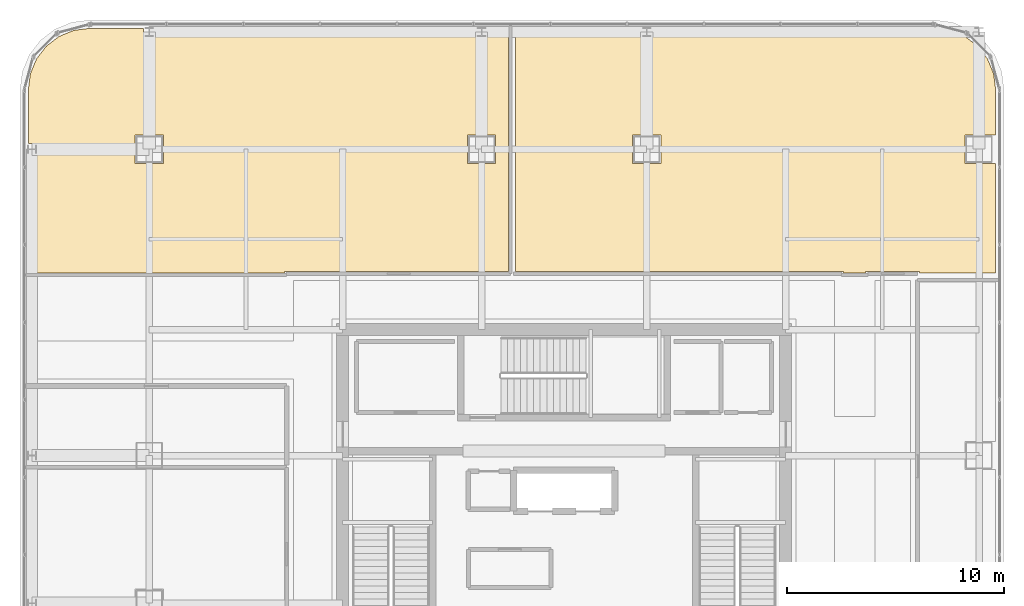
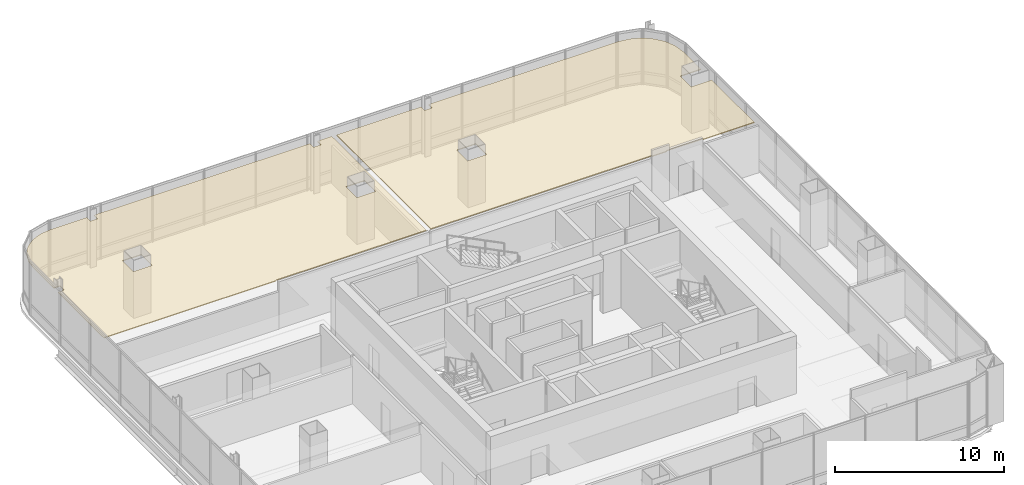
# One storey, part 41 of 41: 2 coverings.
"""IFC4 building model written with IfcOpenShell, lengths in metres."""

import ifcopenshell
import ifcopenshell.guid

model = None  # the IFC model being written
_history = None  # IfcOwnerHistory: only IFC2X3 demands one
_inside = {}  # id of a spatial element -> (the spatial element, [elements in it])
_under = {}  # id of a project, library or spatial element -> (it, [spatial elements below it])
_declared = {}  # id of a project -> (the project, [libraries it declares])
_typed = {}  # id of a type object -> (the type object, [elements of that type])
_made_of = {}  # id of a material, layer set ... -> (it, [elements and type objects made of it])


def new_model(schema):
    """Start an empty IFC model of exactly this schema.

    Asked for "IFC4X3", IfcOpenShell would pick the latest addendum, in which some entities
    have other attributes; the version numbers below select the first issue.
    IFC2X3 requires an IfcOwnerHistory on every rooted entity: one is made here for all.
    """
    global model, _history
    if schema == "IFC4X3":
        model = ifcopenshell.file(schema_version=(4, 3, 0, 0))
    else:
        model = ifcopenshell.file(schema=schema)
    _inside.clear()
    _under.clear()
    _declared.clear()
    _typed.clear()
    _made_of.clear()
    _history = None
    if model.schema == "IFC2X3":
        org = make("IfcOrganization", Name="unknown")
        user = make(
            "IfcPersonAndOrganization",
            ThePerson=make("IfcPerson", FamilyName="unknown"),
            TheOrganization=org,
        )
        app = make(
            "IfcApplication",
            ApplicationDeveloper=org,
            Version="unknown",
            ApplicationFullName="unknown",
            ApplicationIdentifier="unknown",
        )
        _history = make(
            "IfcOwnerHistory",
            OwningUser=user,
            OwningApplication=app,
            ChangeAction="ADDED",
            CreationDate=0,
        )
    return model


def make(cls, **values):
    """One entity of the class cls with the attributes given. An attribute that is None is left unset."""
    return model.create_entity(
        cls, **{name: value for name, value in values.items() if value is not None}
    )


def rooted(cls, **values):
    """An entity with a GlobalId (a new one), such as an element, a storey or a relation."""
    return make(cls, GlobalId=ifcopenshell.guid.new(), OwnerHistory=_history, **values)


def si_unit(unit_type, name, prefix=None):
    """IfcSIUnit, for example si_unit("LENGTHUNIT", "METRE", prefix="MILLI")."""
    return make("IfcSIUnit", UnitType=unit_type, Prefix=prefix, Name=name)


def assignment(units):
    """IfcUnitAssignment: the units of a project."""
    return None if units is None else make("IfcUnitAssignment", Units=units)


def point(xyz):
    """IfcCartesianPoint."""
    return None if xyz is None else make("IfcCartesianPoint", Coordinates=xyz)


def direction(xyz):
    """IfcDirection."""
    return None if xyz is None else make("IfcDirection", DirectionRatios=xyz)


def frame(location, z_axis=None, x_axis=None):
    """IfcAxis2Placement3D, a coordinate frame: its origin and axes. An axis left out is left unset."""
    return make(
        "IfcAxis2Placement3D",
        Location=point(location),
        Axis=direction(z_axis),
        RefDirection=direction(x_axis),
    )


def origin():
    """The frame at (0, 0, 0) with its axes left unset."""
    return frame((0.0, 0.0, 0.0))


def place(relative_to, where):
    """IfcLocalPlacement: puts the frame where relative to a parent placement (None: the world)."""
    return make(
        "IfcLocalPlacement", PlacementRelTo=relative_to, RelativePlacement=where
    )


def context(
    kind, dimensions, precision=None, world=None, true_north=None, identifier=None
):
    """IfcGeometricRepresentationContext, for example the 3D "Model" context."""
    return make(
        "IfcGeometricRepresentationContext",
        ContextIdentifier=identifier,
        ContextType=kind,
        CoordinateSpaceDimension=dimensions,
        Precision=precision,
        WorldCoordinateSystem=world,
        TrueNorth=true_north,
    )


def subcontext(parent, identifier, kind, view, scale=None):
    """IfcGeometricRepresentationSubContext, for example "Body" below "Model"."""
    return make(
        "IfcGeometricRepresentationSubContext",
        ContextIdentifier=identifier,
        ContextType=kind,
        ParentContext=parent,
        TargetScale=scale,
        TargetView=view,
    )


def project(units=None, contexts=None):
    """IfcProject with its units and contexts."""
    return rooted(
        "IfcProject",
        Name="project",
        RepresentationContexts=contexts,
        UnitsInContext=assignment(units),
    )


def spatial(cls, under=None, at=None, **own):
    """A site, building, storey or space (cls), placed at a placement, below another one or the project."""
    s = rooted(cls, ObjectPlacement=at, **own)
    if under is not None:
        _under.setdefault(under.id(), (under, []))[1].append(s)
    return s


def polyline(points):
    """IfcPolyline through the points."""
    return make("IfcPolyline", Points=[point(p) for p in points])


def outline(outer, holes=None, kind="AREA"):
    """IfcArbitraryClosedProfileDef: a profile drawn as a closed curve; with holes, ...WithVoids."""
    if holes is None:
        return make("IfcArbitraryClosedProfileDef", ProfileType=kind, OuterCurve=outer)
    return make(
        "IfcArbitraryProfileDefWithVoids",
        ProfileType=kind,
        OuterCurve=outer,
        InnerCurves=holes,
    )


def extrude(swept, where, along, depth):
    """IfcExtrudedAreaSolid: the profile swept, set in the frame where, extruded along a direction by depth."""
    return make(
        "IfcExtrudedAreaSolid",
        SweptArea=swept,
        Position=where,
        ExtrudedDirection=direction(along),
        Depth=depth,
    )


def shape(context_of_items, identifier, shape_type, items):
    """IfcShapeRepresentation: the items that make up one representation, for example the "Body"."""
    return make(
        "IfcShapeRepresentation",
        ContextOfItems=context_of_items,
        RepresentationIdentifier=identifier,
        RepresentationType=shape_type,
        Items=items,
    )


def material(Name=None, Category=None):
    """IfcMaterial."""
    return make("IfcMaterial", Name=Name, Category=Category)


def layer(
    of_material, thickness, ventilated=None, Name=None, Category=None, Priority=None
):
    """IfcMaterialLayer: one layer of a wall or slab, of a material (None: an air gap)."""
    return make(
        "IfcMaterialLayer",
        Material=of_material,
        LayerThickness=thickness,
        IsVentilated=ventilated,
        Name=Name,
        Category=Category,
        Priority=Priority,
    )


def layer_set(layers, Name=None):
    """IfcMaterialLayerSet."""
    return make("IfcMaterialLayerSet", MaterialLayers=layers, LayerSetName=Name)


def made_of(thing, what):
    """Note that an element or type object is made of a material, layer set ...; save() writes the relation."""
    if what is not None:
        _made_of.setdefault(what.id(), (what, []))[1].append(thing)
    return thing


def type_object(cls, material=None, **own):
    """A type object (cls), such as IfcWallType, which elements share."""
    return made_of(rooted(cls, **own), material)


def element(
    cls,
    number,
    at=None,
    inside=None,
    cuts=None,
    type_object=None,
    material=None,
    context=None,
    identifier="Body",
    shape_type=None,
    held_by="IfcProductDefinitionShape",
    body=None,
    shapes=None,
    **own,
):
    """One element of the class cls, such as IfcWall. Its Tag is "e" and its number.

    at: its placement. inside: the storey or other place that contains it. cuts: it is an
    opening in that element (IfcRelVoidsElement). A single representation is given by context,
    identifier, shape_type and body (its items); several are given by shapes. held_by: the class
    of the entity that holds the representations. save() writes the other relations.
    """
    e = rooted(cls, Tag="e%d" % number, ObjectPlacement=at, **own)
    if body is not None:
        shapes = [shape(context, identifier, shape_type, body)]
    if shapes is not None:
        e.Representation = make(held_by, Representations=shapes)
    if inside is not None:
        _inside.setdefault(inside.id(), (inside, []))[1].append(e)
    if cuts is not None:
        rooted(
            "IfcRelVoidsElement", RelatingBuildingElement=cuts, RelatedOpeningElement=e
        )
    if type_object is not None:
        _typed.setdefault(type_object.id(), (type_object, []))[1].append(e)
    return made_of(e, material)


def aggregate(whole, parts):
    """IfcRelAggregates: a whole, such as a stair, and the parts it consists of."""
    return rooted("IfcRelAggregates", RelatingObject=whole, RelatedObjects=parts)


def save(model, path):
    """Write the relations noted so far, then the file.

    IfcRelAggregates (storeys below a building ...), IfcRelContainedInSpatialStructure (elements
    in a storey), IfcRelDefinesByType, IfcRelAssociatesMaterial and IfcRelDeclares: one each for
    every whole, place, type object, material and project.
    """
    for whole, parts in _under.values():
        aggregate(whole, parts)
    for where, things in _inside.values():
        rooted(
            "IfcRelContainedInSpatialStructure",
            RelatedElements=things,
            RelatingStructure=where,
        )
    for kind, things in _typed.values():
        rooted("IfcRelDefinesByType", RelatedObjects=things, RelatingType=kind)
    for what, things in _made_of.values():
        rooted("IfcRelAssociatesMaterial", RelatedObjects=things, RelatingMaterial=what)
    for by, libraries in _declared.values():
        rooted("IfcRelDeclares", RelatingContext=by, RelatedDefinitions=libraries)
    model.write(path)


model = new_model("IFC4")

# Units and contexts
model_context = context("Model", 3, precision=1e-05, world=origin(), true_north=direction((0.0, 1.0)))
body_context = subcontext(model_context, "Body", "Model", "MODEL_VIEW")
ifc_project = project(units=[si_unit("LENGTHUNIT", "METRE"), si_unit("AREAUNIT", "SQUARE_METRE"), si_unit("VOLUMEUNIT", "CUBIC_METRE"), si_unit("PLANEANGLEUNIT", "RADIAN"), si_unit("MASSUNIT", "GRAM", prefix="KILO")], contexts=[model_context])

# Site, building, storey
site_placement = place(None, origin())
site = spatial("IfcSite", under=ifc_project, at=site_placement, CompositionType="ELEMENT")
building_placement = place(site_placement, origin())
building = spatial("IfcBuilding", under=site, at=building_placement, Name="Punatoya Terracotta Tower", CompositionType="ELEMENT")
storey_placement = place(building_placement, frame((0.0, 0.0, 309.0)))
storey = spatial("IfcBuildingStorey", under=building, at=storey_placement, Name="L73", CompositionType="ELEMENT", Elevation=309.0)

# Coverings
ifc_material = material(Name="Acoustic Mineral Fibre Ceiling")
ifc_layer = layer(ifc_material, 0.06005859375)
ifc_layer_set = layer_set([ifc_layer], Name="Acoustic Mineral Fibre Ceiling")
covering_type = type_object("IfcCoveringType", Name="COV-CEIL-60", PredefinedType="CEILING", material=ifc_layer_set)
covering_1_placement = place(storey_placement, frame((0.0, 0.0, 3.389892578125)))
element("IfcCovering", 1, at=covering_1_placement, inside=storey, type_object=covering_type, Name="L73 Hydrology Modelling Laboratory Acoustic Ceiling", PredefinedType="CEILING", context=body_context, shape_type="SweptSolid", body=[
    extrude(outline(polyline([(-18.846923828125, 22.64208984375), (-19.35302734375, 22.64208984375), (-19.35302734375, 23.070068359375), (-21.8251953125, 23.070068359375), (-22.5791015625, 22.970703125), (-23.25830078125, 22.689453125), (-23.841796875, 22.24169921875), (-24.289306640625, 21.658203125), (-24.57080078125, 20.97900390625), (-24.669921875, 20.22509765625), (-24.669921875, 17.758056640625), (-24.2470703125, 17.758056640625), (-24.2470703125, 17.241943359375), (-24.669921875, 17.241943359375), (-24.669921875, 11.81005859375), (-12.8701171875, 11.81005859375), (-12.8701171875, 11.8701171875), (-2.56005859375, 11.8701171875), (-2.56005859375, 23.070068359375), (-3.547119140625, 23.070068359375), (-3.547119140625, 22.64208984375), (-4.052978515625, 22.64208984375), (-4.052978515625, 23.070068359375), (-18.846923828125, 23.070068359375), (-18.846923828125, 22.64208984375)]), holes=[polyline([(-4.449951171875, 16.85009765625), (-4.449951171875, 18.14990234375), (-3.14990234375, 18.14990234375), (-3.14990234375, 16.85009765625), (-4.449951171875, 16.85009765625)]), polyline([(-19.75, 18.14990234375), (-18.449951171875, 18.14990234375), (-18.449951171875, 16.85009765625), (-19.75, 16.85009765625), (-19.75, 18.14990234375)])]), origin(), (0.0, 0.0, 1.0), 0.06005859375),
])
covering_2_placement = place(storey_placement, frame((0.0, 0.0, 3.389892578125)))
element("IfcCovering", 2, at=covering_2_placement, inside=storey, type_object=covering_type, Name="L73 Urban Analytics Laboratory Acoustic Ceiling", PredefinedType="CEILING", context=body_context, shape_type="SweptSolid", body=[
    extrude(outline(polyline([(3.547119140625, 23.070068359375), (-2.239990234375, 23.070068359375), (-2.239990234375, 11.8701171875), (12.8701171875, 11.8701171875), (12.8701171875, 11.81005859375), (13.8798828125, 11.81005859375), (13.8798828125, 11.8701171875), (16.3701171875, 11.8701171875), (16.3701171875, 11.81005859375), (19.8701171875, 11.81005859375), (19.8701171875, 16.85009765625), (18.449951171875, 16.85009765625), (18.449951171875, 18.14990234375), (19.8701171875, 18.14990234375), (19.8701171875, 20.22509765625), (19.770751953125, 20.97900390625), (19.489501953125, 21.658203125), (19.041748046875, 22.24169921875), (18.458251953125, 22.689453125), (17.779052734375, 22.970703125), (17.025146484375, 23.070068359375), (4.052978515625, 23.070068359375), (4.052978515625, 22.64208984375), (3.547119140625, 22.64208984375), (3.547119140625, 23.070068359375)]), holes=[polyline([(4.449951171875, 16.85009765625), (3.14990234375, 16.85009765625), (3.14990234375, 18.14990234375), (4.449951171875, 18.14990234375), (4.449951171875, 16.85009765625)])]), origin(), (0.0, 0.0, 1.0), 0.06005859375),
])

save(model, "model.ifc")
